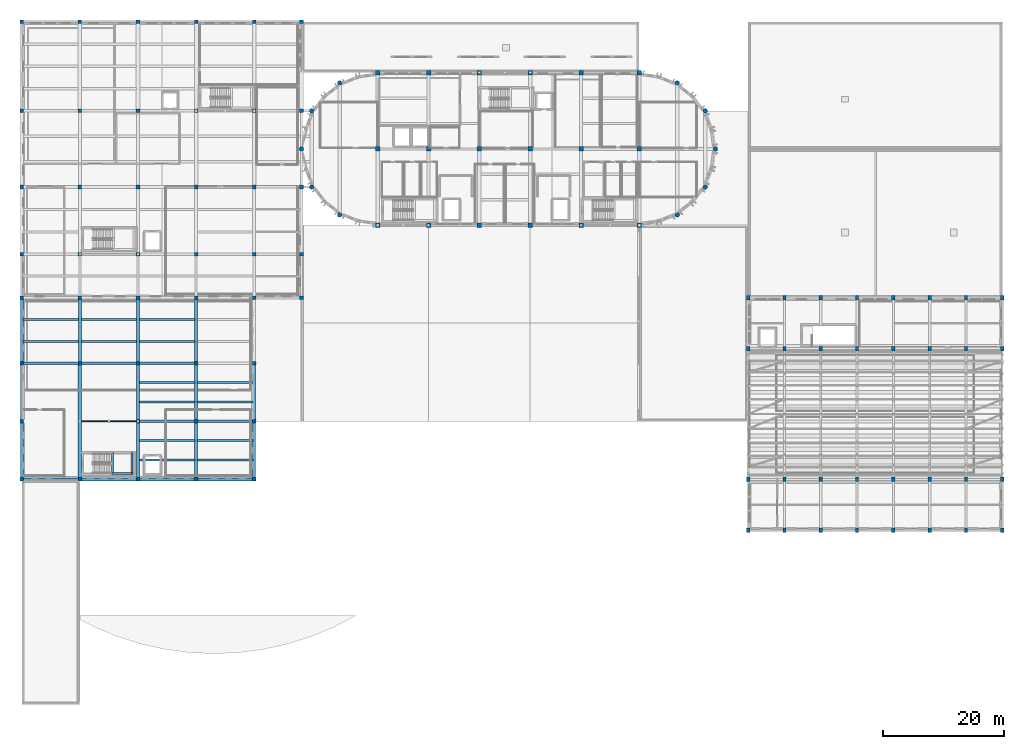
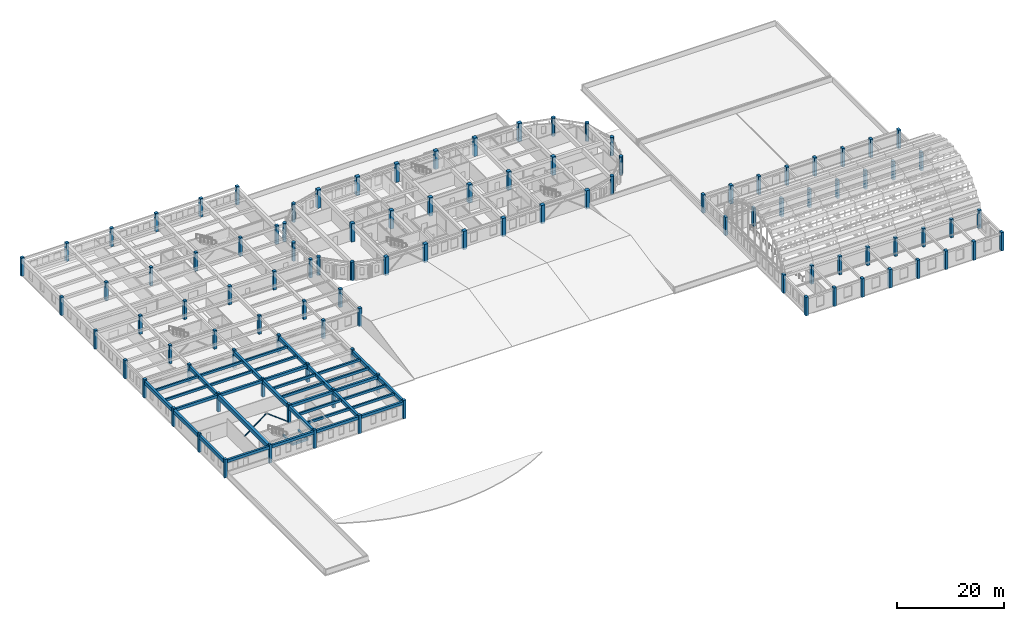
# One storey, part 1 of 46: 104 columns, 39 beams, 2 members.
"""IFC4 building model written with IfcOpenShell, lengths in metres."""

from ifc_helpers import new_model, si_unit, direction, frame, origin, origin_2d, place, context, subcontext, project, spatial, rectangle, hollow_rectangle, circle, extrude, material, material_profile, profile_set, type_object, element, save


model = new_model("IFC4")

# Units and contexts
model_context = context("Model", 3, precision=1e-05, world=origin(), true_north=direction((0.0, 1.0)))
body_context = subcontext(model_context, "Body", "Model", "MODEL_VIEW")
ifc_project = project(units=[si_unit("LENGTHUNIT", "METRE"), si_unit("AREAUNIT", "SQUARE_METRE"), si_unit("VOLUMEUNIT", "CUBIC_METRE"), si_unit("PLANEANGLEUNIT", "RADIAN"), si_unit("MASSUNIT", "GRAM", prefix="KILO")], contexts=[model_context])

# Site, building, storey
site_placement = place(None, origin())
site = spatial("IfcSite", under=ifc_project, at=site_placement, CompositionType="ELEMENT")
building_placement = place(site_placement, origin())
building = spatial("IfcBuilding", under=site, at=building_placement, Name="Tarnavel Promenade Courthouse", CompositionType="ELEMENT")
storey_placement = place(building_placement, frame((0.0, 0.0, 14.39990234375)))
storey = spatial("IfcBuildingStorey", under=building, at=storey_placement, Name="L04", CompositionType="ELEMENT", Elevation=14.39990234375)

# Columns
ifc_material_1 = material(Name="Concrete C40/50", Category="concrete")
ifc_material_profile_1 = material_profile(ifc_material_1, circle(Radius=0.375, at=origin_2d()), Name="RCC D750")
ifc_profile_set_1 = profile_set([ifc_material_profile_1], Name="Concrete C40/50")
column_type_1 = type_object("IfcColumnType", Name="Concrete C40/50 COL-DRUM-D750 (RCC D750)", PredefinedType="COLUMN", material=ifc_profile_set_1)
for number, where, z_axis, x_axis, name in (
    (1, (52.5, 102.7119140625, 0.0), (0.0, 0.0, 1.0), (1.0, 0.0, 0.0), "L04 Structural Column 0233"),
    (2, (108.300048828125, 80.88818359375, 0.0), (0.0, 0.0, 1.0), (1.0, 0.0, 0.0), "L04 Structural Column 0243"),
    (3, (47.88818359375, 98.10009765625, 0.0), (0.0, 0.0, 1.0), (1.0, 0.0, 0.0), "L04 Structural Column 0253"),
    (4, (112.911865234375, 85.5, 0.0), (0.0, 0.0, 1.0), (1.0, 0.0, 0.0), "L04 Structural Column 0263"),
    (5, (46.199951171875, 91.800048828125, 0.0), (0.0, 0.0, 1.0), (1.0, 0.0, 0.0), "L04 Structural Column 0273"),
    (6, (114.60009765625, 91.800048828125, 0.0), (0.0, 0.0, 1.0), (1.0, 0.0, 0.0), "L04 Structural Column 0283"),
    (7, (47.88818359375, 85.5, 0.0), (0.0, 0.0, 1.0), (1.0, 0.0, 0.0), "L04 Structural Column 0293"),
    (8, (112.911865234375, 98.10009765625, 0.0), (0.0, 0.0, 1.0), (1.0, 0.0, 0.0), "L04 Structural Column 0303"),
    (9, (52.5, 80.88818359375, 0.0), (0.0, 0.0, 1.0), (1.0, 0.0, 0.0), "L04 Structural Column 0313"),
    (10, (108.300048828125, 102.7119140625, 0.0), (0.0, 0.0, 1.0), (1.0, 0.0, 0.0), "L04 Structural Column 0323"),
):
    element("IfcColumn", number, at=place(storey_placement, frame(where, z_axis=z_axis, x_axis=x_axis)), inside=storey, type_object=column_type_1, Name=name, PredefinedType="COLUMN", context=body_context, shape_type="SweptSolid", body=[
        extrude(circle(Radius=0.375, at=origin_2d()), origin(), (0.0, 0.0, 1.0), 4.2001953125),
    ])
ifc_material_profile_2 = material_profile(ifc_material_1, rectangle(XDim=0.550048828125, YDim=0.550048828125, at=origin_2d()), Name="RC 550x550")
ifc_profile_set_2 = profile_set([ifc_material_profile_2], Name="Concrete C40/50")
column_type_2 = type_object("IfcColumnType", Name="Concrete C40/50 COL-RC550-TOP (RC 550x550)", PredefinedType="COLUMN", material=ifc_profile_set_2)
for number, where, z_axis, x_axis, name in (
    (11, (0.0, 37.199951171875, 0.0), (0.0, 0.0, 1.0), (1.0, 0.0, 0.0), "L04 Structural Column 0537"),
    (12, (0.0, 46.800048828125, 0.0), (0.0, 0.0, 1.0), (1.0, 0.0, 0.0), "L04 Structural Column 0543"),
    (13, (0.0, 56.39990234375, 0.0), (0.0, 0.0, 1.0), (1.0, 0.0, 0.0), "L04 Structural Column 0549"),
    (14, (9.60009765625, 37.199951171875, 0.0), (0.0, 0.0, 1.0), (1.0, 0.0, 0.0), "L04 Structural Column 0555"),
    (15, (9.60009765625, 56.39990234375, 0.0), (0.0, 0.0, 1.0), (1.0, 0.0, 0.0), "L04 Structural Column 0561"),
    (16, (19.199951171875, 37.199951171875, 0.0), (0.0, 0.0, 1.0), (1.0, 0.0, 0.0), "L04 Structural Column 0567"),
    (17, (19.199951171875, 46.800048828125, 0.0), (0.0, 0.0, 1.0), (1.0, 0.0, 0.0), "L04 Structural Column 0573"),
    (18, (19.199951171875, 56.39990234375, 0.0), (0.0, 0.0, 1.0), (1.0, 0.0, 0.0), "L04 Structural Column 0579"),
    (19, (28.800048828125, 37.199951171875, 0.0), (0.0, 0.0, 1.0), (1.0, 0.0, 0.0), "L04 Structural Column 0585"),
    (20, (28.800048828125, 46.800048828125, 0.0), (0.0, 0.0, 1.0), (1.0, 0.0, 0.0), "L04 Structural Column 0591"),
    (21, (28.800048828125, 56.39990234375, 0.0), (0.0, 0.0, 1.0), (1.0, 0.0, 0.0), "L04 Structural Column 0597"),
    (22, (38.39990234375, 37.199951171875, 0.0), (0.0, 0.0, 1.0), (1.0, 0.0, 0.0), "L04 Structural Column 0603"),
    (23, (38.39990234375, 46.800048828125, 0.0), (0.0, 0.0, 1.0), (1.0, 0.0, 0.0), "L04 Structural Column 0608"),
    (24, (38.39990234375, 56.39990234375, 0.0), (0.0, 0.0, 1.0), (1.0, 0.0, 0.0), "L04 Structural Column 0613"),
):
    element("IfcColumn", number, at=place(storey_placement, frame(where, z_axis=z_axis, x_axis=x_axis)), inside=storey, type_object=column_type_2, Name=name, PredefinedType="COLUMN", context=body_context, shape_type="SweptSolid", body=[
        extrude(rectangle(XDim=0.550048828125, YDim=0.550048828125, at=origin_2d()), origin(), (0.0, 0.0, 1.0), 4.2001953125),
    ])
ifc_material_profile_3 = material_profile(ifc_material_1, rectangle(XDim=0.550048828125, YDim=0.75, at=origin_2d()), Name="RC 550x750")
ifc_profile_set_3 = profile_set([ifc_material_profile_3], Name="Concrete C40/50")
column_type_3 = type_object("IfcColumnType", Name="Concrete C40/50 COL-RC550x750 (RC 550x750)", PredefinedType="COLUMN", material=ifc_profile_set_3)
for number, where, z_axis, x_axis, name in (
    (25, (120.0, 28.800048828125, 0.0), (0.0, 0.0, 1.0), (1.0, 0.0, 0.0), "L04 Structural Column 0730"),
    (26, (120.0, 37.199951171875, 0.0), (0.0, 0.0, 1.0), (1.0, 0.0, 0.0), "L04 Structural Column 0735"),
    (27, (120.0, 58.800048828125, 0.0), (0.0, 0.0, 1.0), (1.0, 0.0, 0.0), "L04 Structural Column 0740"),
    (28, (120.0, 67.199951171875, 0.0), (0.0, 0.0, 1.0), (1.0, 0.0, 0.0), "L04 Structural Column 0745"),
    (29, (126.0, 28.800048828125, 0.0), (0.0, 0.0, 1.0), (1.0, 0.0, 0.0), "L04 Structural Column 0750"),
    (30, (126.0, 37.199951171875, 0.0), (0.0, 0.0, 1.0), (1.0, 0.0, 0.0), "L04 Structural Column 0755"),
    (31, (126.0, 58.800048828125, 0.0), (0.0, 0.0, 1.0), (1.0, 0.0, 0.0), "L04 Structural Column 0760"),
    (32, (126.0, 67.199951171875, 0.0), (0.0, 0.0, 1.0), (1.0, 0.0, 0.0), "L04 Structural Column 0765"),
    (33, (132.0, 28.800048828125, 0.0), (0.0, 0.0, 1.0), (1.0, 0.0, 0.0), "L04 Structural Column 0770"),
    (34, (132.0, 37.199951171875, 0.0), (0.0, 0.0, 1.0), (1.0, 0.0, 0.0), "L04 Structural Column 0775"),
    (35, (132.0, 58.800048828125, 0.0), (0.0, 0.0, 1.0), (1.0, 0.0, 0.0), "L04 Structural Column 0780"),
    (36, (132.0, 67.199951171875, 0.0), (0.0, 0.0, 1.0), (1.0, 0.0, 0.0), "L04 Structural Column 0785"),
    (37, (138.0, 28.800048828125, 0.0), (0.0, 0.0, 1.0), (1.0, 0.0, 0.0), "L04 Structural Column 0790"),
    (38, (138.0, 37.199951171875, 0.0), (0.0, 0.0, 1.0), (1.0, 0.0, 0.0), "L04 Structural Column 0795"),
    (39, (138.0, 58.800048828125, 0.0), (0.0, 0.0, 1.0), (1.0, 0.0, 0.0), "L04 Structural Column 0800"),
    (40, (138.0, 67.199951171875, 0.0), (0.0, 0.0, 1.0), (1.0, 0.0, 0.0), "L04 Structural Column 0805"),
    (41, (144.0, 28.800048828125, 0.0), (0.0, 0.0, 1.0), (1.0, 0.0, 0.0), "L04 Structural Column 0810"),
    (42, (144.0, 37.199951171875, 0.0), (0.0, 0.0, 1.0), (1.0, 0.0, 0.0), "L04 Structural Column 0815"),
    (43, (144.0, 58.800048828125, 0.0), (0.0, 0.0, 1.0), (1.0, 0.0, 0.0), "L04 Structural Column 0820"),
    (44, (144.0, 67.199951171875, 0.0), (0.0, 0.0, 1.0), (1.0, 0.0, 0.0), "L04 Structural Column 0825"),
    (45, (150.0, 28.800048828125, 0.0), (0.0, 0.0, 1.0), (1.0, 0.0, 0.0), "L04 Structural Column 0830"),
    (46, (150.0, 37.199951171875, 0.0), (0.0, 0.0, 1.0), (1.0, 0.0, 0.0), "L04 Structural Column 0835"),
    (47, (150.0, 58.800048828125, 0.0), (0.0, 0.0, 1.0), (1.0, 0.0, 0.0), "L04 Structural Column 0840"),
    (48, (150.0, 67.199951171875, 0.0), (0.0, 0.0, 1.0), (1.0, 0.0, 0.0), "L04 Structural Column 0845"),
    (49, (156.0, 28.800048828125, 0.0), (0.0, 0.0, 1.0), (1.0, 0.0, 0.0), "L04 Structural Column 0850"),
    (50, (156.0, 37.199951171875, 0.0), (0.0, 0.0, 1.0), (1.0, 0.0, 0.0), "L04 Structural Column 0855"),
    (51, (156.0, 58.800048828125, 0.0), (0.0, 0.0, 1.0), (1.0, 0.0, 0.0), "L04 Structural Column 0860"),
    (52, (156.0, 67.199951171875, 0.0), (0.0, 0.0, 1.0), (1.0, 0.0, 0.0), "L04 Structural Column 0865"),
    (53, (162.0, 28.800048828125, 0.0), (0.0, 0.0, 1.0), (1.0, 0.0, 0.0), "L04 Structural Column 0870"),
    (54, (162.0, 37.199951171875, 0.0), (0.0, 0.0, 1.0), (1.0, 0.0, 0.0), "L04 Structural Column 0875"),
    (55, (162.0, 58.800048828125, 0.0), (0.0, 0.0, 1.0), (1.0, 0.0, 0.0), "L04 Structural Column 0880"),
    (56, (162.0, 67.199951171875, 0.0), (0.0, 0.0, 1.0), (1.0, 0.0, 0.0), "L04 Structural Column 0885"),
):
    element("IfcColumn", number, at=place(storey_placement, frame(where, z_axis=z_axis, x_axis=x_axis)), inside=storey, type_object=column_type_3, Name=name, PredefinedType="COLUMN", context=body_context, shape_type="SweptSolid", body=[
        extrude(rectangle(XDim=0.550048828125, YDim=0.75, at=origin_2d()), origin(), (0.0, 0.0, 1.0), 4.2001953125),
    ])
ifc_material_profile_4 = material_profile(ifc_material_1, rectangle(XDim=0.60009765625, YDim=0.60009765625, at=origin_2d()), Name="RC 600x600")
ifc_profile_set_4 = profile_set([ifc_material_profile_4], Name="Concrete C40/50")
column_type_4 = type_object("IfcColumnType", Name="Concrete C40/50 COL-RC600-UPP (RC 600x600)", PredefinedType="COLUMN", material=ifc_profile_set_4)
for number, where, z_axis, x_axis, name in (
    (57, (0.0, 67.199951171875, 0.0), (0.0, 0.0, 1.0), (1.0, 0.0, 0.0), "L04 Structural Column 0333"),
    (58, (0.0, 74.39990234375, 0.0), (0.0, 0.0, 1.0), (1.0, 0.0, 0.0), "L04 Structural Column 0339"),
    (59, (0.0, 85.5, 0.0), (0.0, 0.0, 1.0), (1.0, 0.0, 0.0), "L04 Structural Column 0346"),
    (60, (0.0, 98.10009765625, 0.0), (0.0, 0.0, 1.0), (1.0, 0.0, 0.0), "L04 Structural Column 0353"),
    (61, (0.0, 112.800048828125, 0.0), (0.0, 0.0, 1.0), (1.0, 0.0, 0.0), "L04 Structural Column 0360"),
    (62, (9.60009765625, 67.199951171875, 0.0), (0.0, 0.0, 1.0), (1.0, 0.0, 0.0), "L04 Structural Column 0367"),
    (63, (9.60009765625, 74.39990234375, 0.0), (0.0, 0.0, 1.0), (1.0, 0.0, 0.0), "L04 Structural Column 0373"),
    (64, (9.60009765625, 85.5, 0.0), (0.0, 0.0, 1.0), (1.0, 0.0, 0.0), "L04 Structural Column 0380"),
    (65, (9.60009765625, 98.10009765625, 0.0), (0.0, 0.0, 1.0), (1.0, 0.0, 0.0), "L04 Structural Column 0387"),
    (66, (9.60009765625, 112.800048828125, 0.0), (0.0, 0.0, 1.0), (1.0, 0.0, 0.0), "L04 Structural Column 0394"),
    (67, (19.199951171875, 67.199951171875, 0.0), (0.0, 0.0, 1.0), (1.0, 0.0, 0.0), "L04 Structural Column 0401"),
    (68, (19.199951171875, 74.39990234375, 0.0), (0.0, 0.0, 1.0), (1.0, 0.0, 0.0), "L04 Structural Column 0407"),
    (69, (19.199951171875, 85.5, 0.0), (0.0, 0.0, 1.0), (1.0, 0.0, 0.0), "L04 Structural Column 0414"),
    (70, (19.199951171875, 98.10009765625, 0.0), (0.0, 0.0, 1.0), (1.0, 0.0, 0.0), "L04 Structural Column 0421"),
    (71, (19.199951171875, 112.800048828125, 0.0), (0.0, 0.0, 1.0), (1.0, 0.0, 0.0), "L04 Structural Column 0428"),
    (72, (28.800048828125, 67.199951171875, 0.0), (0.0, 0.0, 1.0), (1.0, 0.0, 0.0), "L04 Structural Column 0435"),
    (73, (28.800048828125, 74.39990234375, 0.0), (0.0, 0.0, 1.0), (1.0, 0.0, 0.0), "L04 Structural Column 0441"),
    (74, (28.800048828125, 85.5, 0.0), (0.0, 0.0, 1.0), (1.0, 0.0, 0.0), "L04 Structural Column 0448"),
    (75, (28.800048828125, 98.10009765625, 0.0), (0.0, 0.0, 1.0), (1.0, 0.0, 0.0), "L04 Structural Column 0455"),
    (76, (28.800048828125, 112.800048828125, 0.0), (0.0, 0.0, 1.0), (1.0, 0.0, 0.0), "L04 Structural Column 0462"),
    (77, (38.39990234375, 67.199951171875, 0.0), (0.0, 0.0, 1.0), (1.0, 0.0, 0.0), "L04 Structural Column 0469"),
    (78, (38.39990234375, 74.39990234375, 0.0), (0.0, 0.0, 1.0), (1.0, 0.0, 0.0), "L04 Structural Column 0475"),
    (79, (38.39990234375, 85.5, 0.0), (0.0, 0.0, 1.0), (1.0, 0.0, 0.0), "L04 Structural Column 0482"),
    (80, (38.39990234375, 98.10009765625, 0.0), (0.0, 0.0, 1.0), (1.0, 0.0, 0.0), "L04 Structural Column 0489"),
    (81, (38.39990234375, 112.800048828125, 0.0), (0.0, 0.0, 1.0), (1.0, 0.0, 0.0), "L04 Structural Column 0496"),
    (82, (46.199951171875, 67.199951171875, 0.0), (0.0, 0.0, 1.0), (1.0, 0.0, 0.0), "L04 Structural Column 0503"),
    (83, (46.199951171875, 74.39990234375, 0.0), (0.0, 0.0, 1.0), (1.0, 0.0, 0.0), "L04 Structural Column 0509"),
    (84, (46.199951171875, 85.5, 0.0), (0.0, 0.0, 1.0), (1.0, 0.0, 0.0), "L04 Structural Column 0516"),
    (85, (46.199951171875, 98.10009765625, 0.0), (0.0, 0.0, 1.0), (1.0, 0.0, 0.0), "L04 Structural Column 0523"),
    (86, (46.199951171875, 112.800048828125, 0.0), (0.0, 0.0, 1.0), (1.0, 0.0, 0.0), "L04 Structural Column 0530"),
):
    element("IfcColumn", number, at=place(storey_placement, frame(where, z_axis=z_axis, x_axis=x_axis)), inside=storey, type_object=column_type_4, Name=name, PredefinedType="COLUMN", context=body_context, shape_type="SweptSolid", body=[
        extrude(rectangle(XDim=0.60009765625, YDim=0.60009765625, at=origin_2d()), origin(), (0.0, 0.0, 1.0), 4.2001953125),
    ])
ifc_material_profile_5 = material_profile(ifc_material_1, rectangle(XDim=0.75, YDim=0.75, at=origin_2d()), Name="RC 750x750")
ifc_profile_set_5 = profile_set([ifc_material_profile_5], Name="Concrete C40/50")
column_type_5 = type_object("IfcColumnType", Name="Concrete C40/50 COL-RC750-MID (RC 750x750)", PredefinedType="COLUMN", material=ifc_profile_set_5)
for number, where, z_axis, x_axis, name in (
    (87, (58.800048828125, 79.199951171875, 0.0), (0.0, 0.0, 1.0), (1.0, 0.0, 0.0), "L04 Structural Column 0005"),
    (88, (58.800048828125, 91.800048828125, 0.0), (0.0, 0.0, 1.0), (1.0, 0.0, 0.0), "L04 Structural Column 0015"),
    (89, (58.800048828125, 104.39990234375, 0.0), (0.0, 0.0, 1.0), (1.0, 0.0, 0.0), "L04 Structural Column 0025"),
    (90, (67.199951171875, 79.199951171875, 0.0), (0.0, 0.0, 1.0), (1.0, 0.0, 0.0), "L04 Structural Column 0039"),
    (91, (67.199951171875, 91.800048828125, 0.0), (0.0, 0.0, 1.0), (1.0, 0.0, 0.0), "L04 Structural Column 0049"),
    (92, (67.199951171875, 104.39990234375, 0.0), (0.0, 0.0, 1.0), (1.0, 0.0, 0.0), "L04 Structural Column 0059"),
    (93, (75.60009765625, 79.199951171875, 0.0), (0.0, 0.0, 1.0), (1.0, 0.0, 0.0), "L04 Structural Column 0081"),
    (94, (75.60009765625, 91.800048828125, 0.0), (0.0, 0.0, 1.0), (1.0, 0.0, 0.0), "L04 Structural Column 0091"),
    (95, (75.60009765625, 104.39990234375, 0.0), (0.0, 0.0, 1.0), (1.0, 0.0, 0.0), "L04 Structural Column 0101"),
    (96, (84.0, 79.199951171875, 0.0), (0.0, 0.0, 1.0), (1.0, 0.0, 0.0), "L04 Structural Column 0119"),
    (97, (84.0, 91.800048828125, 0.0), (0.0, 0.0, 1.0), (1.0, 0.0, 0.0), "L04 Structural Column 0129"),
    (98, (84.0, 104.39990234375, 0.0), (0.0, 0.0, 1.0), (1.0, 0.0, 0.0), "L04 Structural Column 0139"),
    (99, (92.39990234375, 79.199951171875, 0.0), (0.0, 0.0, 1.0), (1.0, 0.0, 0.0), "L04 Structural Column 0157"),
    (100, (92.39990234375, 91.800048828125, 0.0), (0.0, 0.0, 1.0), (1.0, 0.0, 0.0), "L04 Structural Column 0167"),
    (101, (92.39990234375, 104.39990234375, 0.0), (0.0, 0.0, 1.0), (1.0, 0.0, 0.0), "L04 Structural Column 0177"),
    (102, (102.0, 79.199951171875, 0.0), (0.0, 0.0, 1.0), (1.0, 0.0, 0.0), "L04 Structural Column 0199"),
    (103, (102.0, 91.800048828125, 0.0), (0.0, 0.0, 1.0), (1.0, 0.0, 0.0), "L04 Structural Column 0209"),
    (104, (102.0, 104.39990234375, 0.0), (0.0, 0.0, 1.0), (1.0, 0.0, 0.0), "L04 Structural Column 0219"),
):
    element("IfcColumn", number, at=place(storey_placement, frame(where, z_axis=z_axis, x_axis=x_axis)), inside=storey, type_object=column_type_5, Name=name, PredefinedType="COLUMN", context=body_context, shape_type="SweptSolid", body=[
        extrude(rectangle(XDim=0.75, YDim=0.75, at=origin_2d()), origin(), (0.0, 0.0, 1.0), 4.2001953125),
    ])

# Beams
ifc_material_profile_6 = material_profile(ifc_material_1, rectangle(XDim=0.35009765625, YDim=0.550048828125, at=origin_2d()), Name="PT 350x550")
ifc_profile_set_6 = profile_set([ifc_material_profile_6], Name="Concrete C40/50")
beam_type_1 = type_object("IfcBeamType", Name="Concrete C40/50 BM-PT-350x550 (PT 350x550)", PredefinedType="JOIST", material=ifc_profile_set_6)
for number, where, z_axis, x_axis, name in (
    (105, (19.419921875, 40.39990234375, 3.6201171875), (1.0, 0.0, 0.0), (0.0, 1.0, 0.0), "L04 Secondary Floor Rib 2133"),
    (106, (19.419921875, 43.60009765625, 3.6201171875), (1.0, 0.0, 0.0), (0.0, 1.0, 0.0), "L04 Secondary Floor Rib 2134"),
):
    element("IfcBeam", number, at=place(storey_placement, frame(where, z_axis=z_axis, x_axis=x_axis)), inside=storey, type_object=beam_type_1, Name=name, PredefinedType="JOIST", context=body_context, shape_type="SweptSolid", body=[
        extrude(rectangle(XDim=0.35009765625, YDim=0.550048828125, at=origin_2d()), origin(), (0.0, 0.0, 1.0), 9.16015625),
    ])
for number, where, z_axis, x_axis, name in (
    (107, (29.02001953125, 40.39990234375, 3.6201171875), (1.0, 0.0, 0.0), (0.0, 1.0, 0.0), "L04 Secondary Floor Rib 2135"),
    (108, (29.02001953125, 43.60009765625, 3.6201171875), (1.0, 0.0, 0.0), (0.0, 1.0, 0.0), "L04 Secondary Floor Rib 2136"),
):
    element("IfcBeam", number, at=place(storey_placement, frame(where, z_axis=z_axis, x_axis=x_axis)), inside=storey, type_object=beam_type_1, Name=name, PredefinedType="JOIST", context=body_context, shape_type="SweptSolid", body=[
        extrude(rectangle(XDim=0.35009765625, YDim=0.550048828125, at=origin_2d()), origin(), (0.0, 0.0, 1.0), 9.159912109375),
    ])
for number, where, z_axis, x_axis, name in (
    (109, (19.419921875, 50.0, 3.6201171875), (1.0, 0.0, 0.0), (0.0, 1.0, 0.0), "L04 Secondary Floor Rib 2137"),
    (110, (19.419921875, 53.199951171875, 3.6201171875), (1.0, 0.0, 0.0), (0.0, 1.0, 0.0), "L04 Secondary Floor Rib 2138"),
):
    element("IfcBeam", number, at=place(storey_placement, frame(where, z_axis=z_axis, x_axis=x_axis)), inside=storey, type_object=beam_type_1, Name=name, PredefinedType="JOIST", context=body_context, shape_type="SweptSolid", body=[
        extrude(rectangle(XDim=0.35009765625, YDim=0.550048828125, at=origin_2d()), origin(), (0.0, 0.0, 1.0), 9.16015625),
    ])
for number, where, z_axis, x_axis, name in (
    (111, (29.02001953125, 50.0, 3.6201171875), (1.0, 0.0, 0.0), (0.0, 1.0, 0.0), "L04 Secondary Floor Rib 2139"),
    (112, (29.02001953125, 53.199951171875, 3.6201171875), (1.0, 0.0, 0.0), (0.0, 1.0, 0.0), "L04 Secondary Floor Rib 2140"),
    (113, (0.219970703125, 60.0, 3.6201171875), (1.0, 0.0, 0.0), (0.0, 1.0, 0.0), "L04 Secondary Floor Rib 2141"),
    (114, (0.219970703125, 63.60009765625, 3.6201171875), (1.0, 0.0, 0.0), (0.0, 1.0, 0.0), "L04 Secondary Floor Rib 2142"),
    (115, (9.820068359375, 60.0, 3.6201171875), (1.0, 0.0, 0.0), (0.0, 1.0, 0.0), "L04 Secondary Floor Rib 2143"),
    (116, (9.820068359375, 63.60009765625, 3.6201171875), (1.0, 0.0, 0.0), (0.0, 1.0, 0.0), "L04 Secondary Floor Rib 2144"),
):
    element("IfcBeam", number, at=place(storey_placement, frame(where, z_axis=z_axis, x_axis=x_axis)), inside=storey, type_object=beam_type_1, Name=name, PredefinedType="JOIST", context=body_context, shape_type="SweptSolid", body=[
        extrude(rectangle(XDim=0.35009765625, YDim=0.550048828125, at=origin_2d()), origin(), (0.0, 0.0, 1.0), 9.159912109375),
    ])
for number, where, z_axis, x_axis, name in (
    (117, (19.419921875, 60.0, 3.6201171875), (1.0, 0.0, 0.0), (0.0, 1.0, 0.0), "L04 Secondary Floor Rib 2145"),
    (118, (19.419921875, 63.60009765625, 3.6201171875), (1.0, 0.0, 0.0), (0.0, 1.0, 0.0), "L04 Secondary Floor Rib 2146"),
):
    element("IfcBeam", number, at=place(storey_placement, frame(where, z_axis=z_axis, x_axis=x_axis)), inside=storey, type_object=beam_type_1, Name=name, PredefinedType="JOIST", context=body_context, shape_type="SweptSolid", body=[
        extrude(rectangle(XDim=0.35009765625, YDim=0.550048828125, at=origin_2d()), origin(), (0.0, 0.0, 1.0), 9.16015625),
    ])
ifc_material_profile_7 = material_profile(ifc_material_1, rectangle(XDim=0.5, YDim=0.800048828125, at=origin_2d()), Name="PT 500x800")
ifc_profile_set_7 = profile_set([ifc_material_profile_7], Name="Concrete C40/50")
beam_type_2 = type_object("IfcBeamType", Name="Concrete C40/50 BM-PT-500x800 (PT 500x800)", PredefinedType="T_BEAM", material=ifc_profile_set_7)
beam_1_placement = place(storey_placement, frame((0.0, 37.199951171875, 3.4951171875), z_axis=(0.0, 1.0, 0.0), x_axis=(-1.0, 0.0, 0.0)))
element("IfcBeam", 119, at=beam_1_placement, inside=storey, type_object=beam_type_2, Name="L04 Transverse Girder 2061", PredefinedType="T_BEAM", context=body_context, shape_type="SweptSolid", body=[
    extrude(rectangle(XDim=0.5, YDim=0.800048828125, at=origin_2d()), origin(), (0.0, 0.0, 1.0), 9.60009765625),
])
beam_2_placement = place(storey_placement, frame((0.0, 46.800048828125, 3.4951171875), z_axis=(0.0, 1.0, 0.0), x_axis=(-1.0, 0.0, 0.0)))
element("IfcBeam", 120, at=beam_2_placement, inside=storey, type_object=beam_type_2, Name="L04 Transverse Girder 2062", PredefinedType="T_BEAM", context=body_context, shape_type="SweptSolid", body=[
    extrude(rectangle(XDim=0.5, YDim=0.800048828125, at=origin_2d()), origin(), (0.0, 0.0, 1.0), 9.599853515625),
])
for number, where, z_axis, x_axis, name in (
    (121, (0.0, 56.39990234375, 3.4951171875), (0.0, 1.0, 0.0), (-1.0, 0.0, 0.0), "L04 Transverse Girder 2063"),
    (122, (9.60009765625, 56.39990234375, 3.4951171875), (0.0, 1.0, 0.0), (-1.0, 0.0, 0.0), "L04 Transverse Girder 2069"),
):
    element("IfcBeam", number, at=place(storey_placement, frame(where, z_axis=z_axis, x_axis=x_axis)), inside=storey, type_object=beam_type_2, Name=name, PredefinedType="T_BEAM", context=body_context, shape_type="SweptSolid", body=[
        extrude(rectangle(XDim=0.5, YDim=0.800048828125, at=origin_2d()), origin(), (0.0, 0.0, 1.0), 10.800048828125),
    ])
beam_3_placement = place(storey_placement, frame((19.199951171875, 37.199951171875, 3.4951171875), z_axis=(0.0, 1.0, 0.0), x_axis=(-1.0, 0.0, 0.0)))
element("IfcBeam", 123, at=beam_3_placement, inside=storey, type_object=beam_type_2, Name="L04 Transverse Girder 2074", PredefinedType="T_BEAM", context=body_context, shape_type="SweptSolid", body=[
    extrude(rectangle(XDim=0.5, YDim=0.800048828125, at=origin_2d()), origin(), (0.0, 0.0, 1.0), 9.60009765625),
])
beam_4_placement = place(storey_placement, frame((19.199951171875, 46.800048828125, 3.4951171875), z_axis=(0.0, 1.0, 0.0), x_axis=(-1.0, 0.0, 0.0)))
element("IfcBeam", 124, at=beam_4_placement, inside=storey, type_object=beam_type_2, Name="L04 Transverse Girder 2075", PredefinedType="T_BEAM", context=body_context, shape_type="SweptSolid", body=[
    extrude(rectangle(XDim=0.5, YDim=0.800048828125, at=origin_2d()), origin(), (0.0, 0.0, 1.0), 9.599853515625),
])
beam_5_placement = place(storey_placement, frame((19.199951171875, 56.39990234375, 3.4951171875), z_axis=(0.0, 1.0, 0.0), x_axis=(-1.0, 0.0, 0.0)))
element("IfcBeam", 125, at=beam_5_placement, inside=storey, type_object=beam_type_2, Name="L04 Transverse Girder 2076", PredefinedType="T_BEAM", context=body_context, shape_type="SweptSolid", body=[
    extrude(rectangle(XDim=0.5, YDim=0.800048828125, at=origin_2d()), origin(), (0.0, 0.0, 1.0), 10.800048828125),
])
beam_6_placement = place(storey_placement, frame((28.800048828125, 37.199951171875, 3.4951171875), z_axis=(0.0, 1.0, 0.0), x_axis=(-1.0, 0.0, 0.0)))
element("IfcBeam", 126, at=beam_6_placement, inside=storey, type_object=beam_type_2, Name="L04 Transverse Girder 2081", PredefinedType="T_BEAM", context=body_context, shape_type="SweptSolid", body=[
    extrude(rectangle(XDim=0.5, YDim=0.800048828125, at=origin_2d()), origin(), (0.0, 0.0, 1.0), 9.60009765625),
])
beam_7_placement = place(storey_placement, frame((28.800048828125, 46.800048828125, 3.4951171875), z_axis=(0.0, 1.0, 0.0), x_axis=(-1.0, 0.0, 0.0)))
element("IfcBeam", 127, at=beam_7_placement, inside=storey, type_object=beam_type_2, Name="L04 Transverse Girder 2082", PredefinedType="T_BEAM", context=body_context, shape_type="SweptSolid", body=[
    extrude(rectangle(XDim=0.5, YDim=0.800048828125, at=origin_2d()), origin(), (0.0, 0.0, 1.0), 9.599853515625),
])
beam_8_placement = place(storey_placement, frame((28.800048828125, 56.39990234375, 3.4951171875), z_axis=(0.0, 1.0, 0.0), x_axis=(-1.0, 0.0, 0.0)))
element("IfcBeam", 128, at=beam_8_placement, inside=storey, type_object=beam_type_2, Name="L04 Transverse Girder 2083", PredefinedType="T_BEAM", context=body_context, shape_type="SweptSolid", body=[
    extrude(rectangle(XDim=0.5, YDim=0.800048828125, at=origin_2d()), origin(), (0.0, 0.0, 1.0), 10.800048828125),
])
beam_9_placement = place(storey_placement, frame((38.39990234375, 37.199951171875, 3.4951171875), z_axis=(0.0, 1.0, 0.0), x_axis=(-1.0, 0.0, 0.0)))
element("IfcBeam", 129, at=beam_9_placement, inside=storey, type_object=beam_type_2, Name="L04 Transverse Girder 2088", PredefinedType="T_BEAM", context=body_context, shape_type="SweptSolid", body=[
    extrude(rectangle(XDim=0.5, YDim=0.800048828125, at=origin_2d()), origin(), (0.0, 0.0, 1.0), 9.60009765625),
])
beam_10_placement = place(storey_placement, frame((38.39990234375, 46.800048828125, 3.4951171875), z_axis=(0.0, 1.0, 0.0), x_axis=(-1.0, 0.0, 0.0)))
element("IfcBeam", 130, at=beam_10_placement, inside=storey, type_object=beam_type_2, Name="L04 Transverse Girder 2089", PredefinedType="T_BEAM", context=body_context, shape_type="SweptSolid", body=[
    extrude(rectangle(XDim=0.5, YDim=0.800048828125, at=origin_2d()), origin(), (0.0, 0.0, 1.0), 9.599853515625),
])
ifc_material_profile_8 = material_profile(ifc_material_1, rectangle(XDim=0.60009765625, YDim=0.949951171875, at=origin_2d()), Name="PT 600x950")
ifc_profile_set_8 = profile_set([ifc_material_profile_8], Name="Concrete C40/50")
beam_type_3 = type_object("IfcBeamType", Name="Concrete C40/50 BM-PT-600x950 (PT 600x950)", PredefinedType="T_BEAM", material=ifc_profile_set_8)
beam_11_placement = place(storey_placement, frame((9.60009765625, 37.199951171875, 3.420166015625), z_axis=(0.0, 1.0, 0.0), x_axis=(-1.0, 0.0, 0.0)))
element("IfcBeam", 131, at=beam_11_placement, inside=storey, type_object=beam_type_3, Name="L04 Transverse Girder 2068", PredefinedType="T_BEAM", context=body_context, shape_type="SweptSolid", body=[
    extrude(rectangle(XDim=0.60009765625, YDim=0.949951171875, at=origin_2d()), origin(), (0.0, 0.0, 1.0), 19.199951171875),
])
ifc_material_profile_9 = material_profile(ifc_material_1, rectangle(XDim=0.35009765625, YDim=0.449951171875, at=origin_2d()), Name="RC 350x450")
ifc_profile_set_9 = profile_set([ifc_material_profile_9], Name="Concrete C40/50")
beam_type_4 = type_object("IfcBeamType", Name="Concrete C40/50 BM-RC-350x450 (RC 350x450)", PredefinedType="BEAM", material=ifc_profile_set_9)
for number, where, z_axis, x_axis, name in (
    (132, (14.97998046875, 38.02001953125, 1.670166015625), (0.0, 1.0, 0.0), (-1.0, 0.0, 0.0), "L04 ST-05 Mid-Landing Support Beam Near"),
    (133, (18.219970703125, 38.02001953125, 1.670166015625), (0.0, 1.0, 0.0), (-1.0, 0.0, 0.0), "L04 ST-05 Mid-Landing Support Beam Far"),
):
    element("IfcBeam", number, at=place(storey_placement, frame(where, z_axis=z_axis, x_axis=x_axis)), inside=storey, type_object=beam_type_4, Name=name, PredefinedType="BEAM", context=body_context, shape_type="SweptSolid", body=[
        extrude(rectangle(XDim=0.35009765625, YDim=0.449951171875, at=origin_2d()), origin(), (0.0, 0.0, 1.0), 3.60009765625),
    ])
beam_12_placement = place(storey_placement, frame((14.97998046875, 38.169921875, 1.670166015625), z_axis=(1.0, 0.0, 0.0), x_axis=(0.0, 1.0, 0.0)))
element("IfcBeam", 134, at=beam_12_placement, inside=storey, type_object=beam_type_4, Name="L04 ST-05 Mid-Landing Edge Trimmer", PredefinedType="BEAM", context=body_context, shape_type="SweptSolid", body=[
    extrude(rectangle(XDim=0.35009765625, YDim=0.449951171875, at=origin_2d()), origin(), (0.0, 0.0, 1.0), 3.239990234375),
])
ifc_material_profile_10 = material_profile(ifc_material_1, rectangle(XDim=0.449951171875, YDim=0.64990234375, at=origin_2d()), Name="RC 450x650")
ifc_profile_set_10 = profile_set([ifc_material_profile_10], Name="Concrete C40/50")
beam_type_5 = type_object("IfcBeamType", Name="Concrete C40/50 BM-RC-450x650 (RC 450x650)", PredefinedType="T_BEAM", material=ifc_profile_set_10)
beam_13_placement = place(storey_placement, frame((0.0, 37.199951171875, 3.570068359375), z_axis=(1.0, 0.0, 0.0), x_axis=(0.0, 1.0, 0.0)))
element("IfcBeam", 135, at=beam_13_placement, inside=storey, type_object=beam_type_5, Name="L04 Primary Longitudinal Beam 1987", PredefinedType="T_BEAM", context=body_context, shape_type="SweptSolid", body=[
    extrude(rectangle(XDim=0.449951171875, YDim=0.64990234375, at=origin_2d()), origin(), (0.0, 0.0, 1.0), 9.60009765625),
])
beam_14_placement = place(storey_placement, frame((9.60009765625, 37.199951171875, 3.570068359375), z_axis=(1.0, 0.0, 0.0), x_axis=(0.0, 1.0, 0.0)))
element("IfcBeam", 136, at=beam_14_placement, inside=storey, type_object=beam_type_5, Name="L04 Primary Longitudinal Beam 1988", PredefinedType="T_BEAM", context=body_context, shape_type="SweptSolid", body=[
    extrude(rectangle(XDim=0.449951171875, YDim=0.64990234375, at=origin_2d()), origin(), (0.0, 0.0, 1.0), 9.599853515625),
])
beam_15_placement = place(storey_placement, frame((19.199951171875, 37.199951171875, 3.570068359375), z_axis=(1.0, 0.0, 0.0), x_axis=(0.0, 1.0, 0.0)))
element("IfcBeam", 137, at=beam_15_placement, inside=storey, type_object=beam_type_5, Name="L04 Primary Longitudinal Beam 1989", PredefinedType="T_BEAM", context=body_context, shape_type="SweptSolid", body=[
    extrude(rectangle(XDim=0.449951171875, YDim=0.64990234375, at=origin_2d()), origin(), (0.0, 0.0, 1.0), 9.60009765625),
])
beam_16_placement = place(storey_placement, frame((28.800048828125, 37.199951171875, 3.570068359375), z_axis=(1.0, 0.0, 0.0), x_axis=(0.0, 1.0, 0.0)))
element("IfcBeam", 138, at=beam_16_placement, inside=storey, type_object=beam_type_5, Name="L04 Primary Longitudinal Beam 1990", PredefinedType="T_BEAM", context=body_context, shape_type="SweptSolid", body=[
    extrude(rectangle(XDim=0.449951171875, YDim=0.64990234375, at=origin_2d()), origin(), (0.0, 0.0, 1.0), 9.599853515625),
])
beam_17_placement = place(storey_placement, frame((19.199951171875, 46.800048828125, 3.570068359375), z_axis=(1.0, 0.0, 0.0), x_axis=(0.0, 1.0, 0.0)))
element("IfcBeam", 139, at=beam_17_placement, inside=storey, type_object=beam_type_5, Name="L04 Primary Longitudinal Beam 1998", PredefinedType="T_BEAM", context=body_context, shape_type="SweptSolid", body=[
    extrude(rectangle(XDim=0.449951171875, YDim=0.64990234375, at=origin_2d()), origin(), (0.0, 0.0, 1.0), 9.60009765625),
])
beam_18_placement = place(storey_placement, frame((28.800048828125, 46.800048828125, 3.570068359375), z_axis=(1.0, 0.0, 0.0), x_axis=(0.0, 1.0, 0.0)))
element("IfcBeam", 140, at=beam_18_placement, inside=storey, type_object=beam_type_5, Name="L04 Primary Longitudinal Beam 1999", PredefinedType="T_BEAM", context=body_context, shape_type="SweptSolid", body=[
    extrude(rectangle(XDim=0.449951171875, YDim=0.64990234375, at=origin_2d()), origin(), (0.0, 0.0, 1.0), 9.599853515625),
])
beam_19_placement = place(storey_placement, frame((0.0, 56.39990234375, 3.570068359375), z_axis=(1.0, 0.0, 0.0), x_axis=(0.0, 1.0, 0.0)))
element("IfcBeam", 141, at=beam_19_placement, inside=storey, type_object=beam_type_5, Name="L04 Primary Longitudinal Beam 2000", PredefinedType="T_BEAM", context=body_context, shape_type="SweptSolid", body=[
    extrude(rectangle(XDim=0.449951171875, YDim=0.64990234375, at=origin_2d()), origin(), (0.0, 0.0, 1.0), 9.60009765625),
])
beam_20_placement = place(storey_placement, frame((9.60009765625, 56.39990234375, 3.570068359375), z_axis=(1.0, 0.0, 0.0), x_axis=(0.0, 1.0, 0.0)))
element("IfcBeam", 142, at=beam_20_placement, inside=storey, type_object=beam_type_5, Name="L04 Primary Longitudinal Beam 2001", PredefinedType="T_BEAM", context=body_context, shape_type="SweptSolid", body=[
    extrude(rectangle(XDim=0.449951171875, YDim=0.64990234375, at=origin_2d()), origin(), (0.0, 0.0, 1.0), 9.599853515625),
])
beam_21_placement = place(storey_placement, frame((19.199951171875, 56.39990234375, 3.570068359375), z_axis=(1.0, 0.0, 0.0), x_axis=(0.0, 1.0, 0.0)))
element("IfcBeam", 143, at=beam_21_placement, inside=storey, type_object=beam_type_5, Name="L04 Primary Longitudinal Beam 2002", PredefinedType="T_BEAM", context=body_context, shape_type="SweptSolid", body=[
    extrude(rectangle(XDim=0.449951171875, YDim=0.64990234375, at=origin_2d()), origin(), (0.0, 0.0, 1.0), 9.60009765625),
])

# Members
ifc_material_2 = material(Name="Steel S355J2", Category="steel")
ifc_material_profile_11 = material_profile(ifc_material_2, hollow_rectangle(XDim=0.179931640625, YDim=0.179931640625, WallThickness=0.010009765625, InnerFilletRadius=0.010009765625, OuterFilletRadius=0.02001953125, at=origin_2d()), Name="SHS 180x180x10")
ifc_profile_set_11 = profile_set([ifc_material_profile_11], Name="Steel S355J2")
member_type = type_object("IfcMemberType", Name="Steel S355J2 MEM-BR-SHS180 (SHS 180x180x10)", PredefinedType="BRACE", material=ifc_profile_set_11)
member_1_placement = place(storey_placement, frame((9.60009765625, 46.800048828125, 0.0), z_axis=(0.796388506992, 0.0, 0.60478537179), x_axis=(0.0, 1.0, 0.0)))
element("IfcMember", 144, at=member_1_placement, inside=storey, type_object=member_type, Name="L04 V3 Chevron Brace A 046", PredefinedType="BRACE", context=body_context, shape_type="SweptSolid", body=[
    extrude(hollow_rectangle(XDim=0.179931640625, YDim=0.179931640625, WallThickness=0.010009765625, InnerFilletRadius=0.010009765625, OuterFilletRadius=0.02001953125, at=origin_2d()), origin(), (0.0, 0.0, 1.0), 6.02685546875),
])
member_2_placement = place(storey_placement, frame((19.199951171875, 46.800048828125, 0.0), z_axis=(-0.79640332272, 0.0, 0.604765861768), x_axis=(0.0, -1.0, 0.0)))
element("IfcMember", 145, at=member_2_placement, inside=storey, type_object=member_type, Name="L04 V3 Chevron Brace B 046", PredefinedType="BRACE", context=body_context, shape_type="SweptSolid", body=[
    extrude(hollow_rectangle(XDim=0.179931640625, YDim=0.179931640625, WallThickness=0.010009765625, InnerFilletRadius=0.010009765625, OuterFilletRadius=0.02001953125, at=origin_2d()), origin(), (0.0, 0.0, 1.0), 6.027099609375),
])

save(model, "model.ifc")
